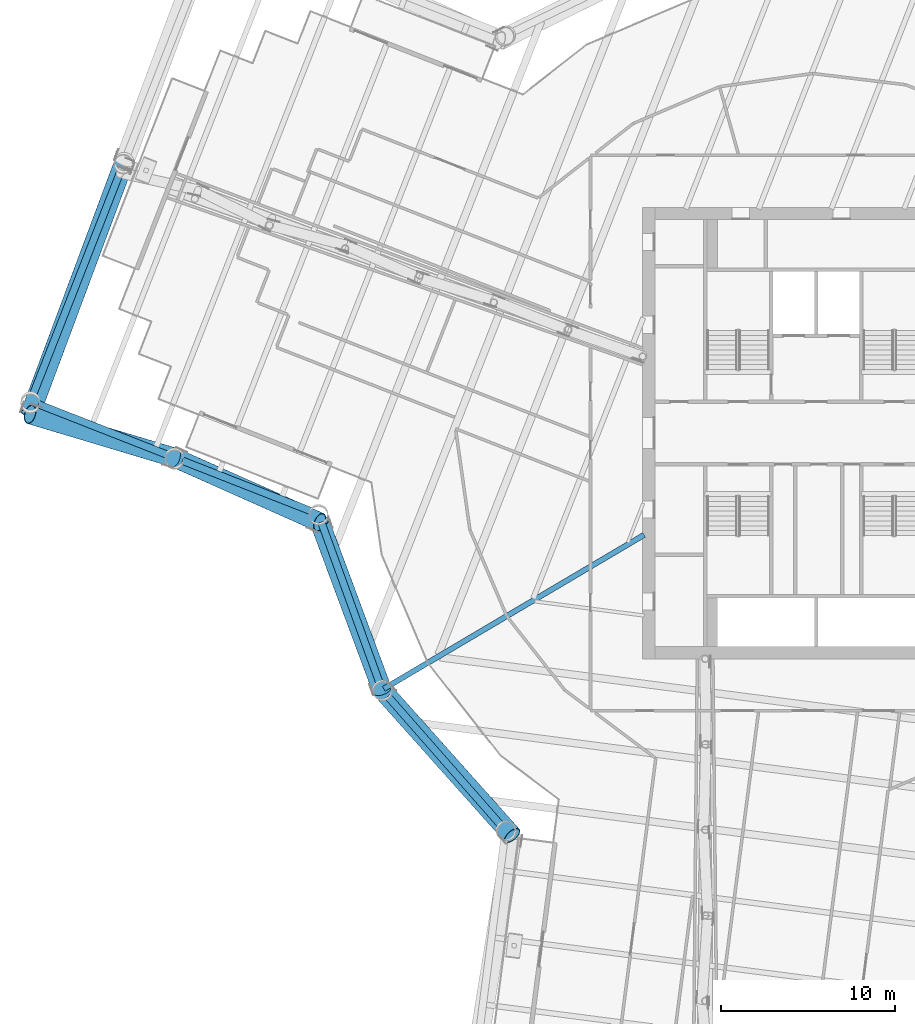
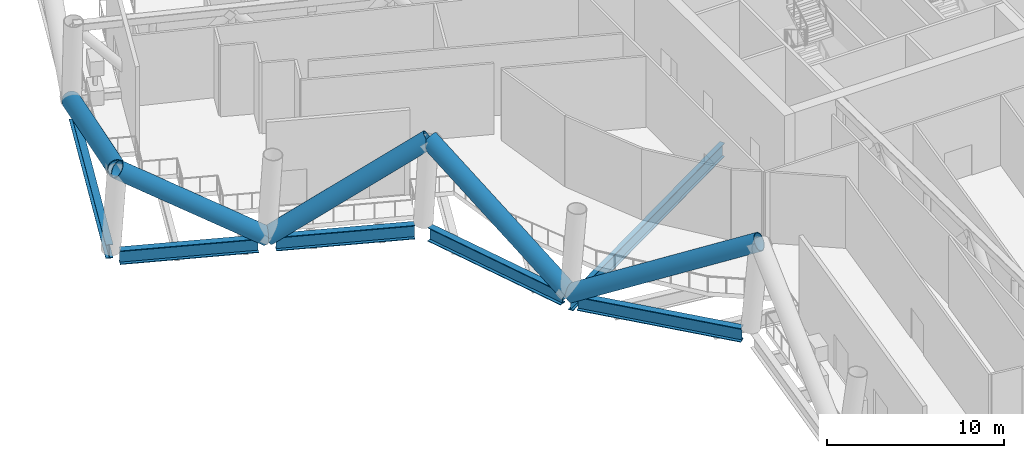
# One storey, part 3 of 36: 6 beams, 5 members.
"""IFC4 building model written with IfcOpenShell, lengths in metres."""

from ifc_helpers import new_model, si_unit, direction, frame, origin, origin_2d, place, context, subcontext, project, spatial, hollow_circle, i_section, extrude, material, material_profile, profile_set, type_object, element, save


model = new_model("IFC4")

# Units and contexts
model_context = context("Model", 3, precision=1e-05, world=origin(), true_north=direction((0.0, 1.0)))
body_context = subcontext(model_context, "Body", "Model", "MODEL_VIEW")
ifc_project = project(units=[si_unit("LENGTHUNIT", "METRE"), si_unit("AREAUNIT", "SQUARE_METRE"), si_unit("VOLUMEUNIT", "CUBIC_METRE"), si_unit("PLANEANGLEUNIT", "RADIAN"), si_unit("MASSUNIT", "GRAM", prefix="KILO")], contexts=[model_context])

# Site, building, storey
site_placement = place(None, origin())
site = spatial("IfcSite", under=ifc_project, at=site_placement, CompositionType="ELEMENT")
building_placement = place(site_placement, origin())
building = spatial("IfcBuilding", under=site, at=building_placement, Name="Tarsis Ring Headquarters", CompositionType="ELEMENT")
storey_placement = place(building_placement, frame((0.0, 0.0, 194.39990234375)))
storey = spatial("IfcBuildingStorey", under=building, at=storey_placement, Name="L45", CompositionType="ELEMENT", Elevation=194.39990234375)

# Beam
ifc_material = material(Name="Structural steel S355", Category="steel")
ifc_material_profile_1 = material_profile(ifc_material, i_section(OverallWidth=0.309814453125, OverallDepth=0.949951171875, WebThickness=0.0244140625, FlangeThickness=0.0439453125, at=origin_2d()), Name="W36x256")
ifc_profile_set_1 = profile_set([ifc_material_profile_1], Name="Structural steel S355")
beam_type_1 = type_object("IfcBeamType", Name="FB Floor beam W36x256 spine", PredefinedType="BEAM", material=ifc_profile_set_1)
beam_1_placement = place(storey_placement, frame((-9.913818359375, -5.863037109375, -0.77490234375), z_axis=(-0.860740036706, -0.509044781146, 0.0), x_axis=(0.509044781146, -0.860740036706, 0.0)))
element("IfcBeam", 1, at=beam_1_placement, inside=storey, type_object=beam_type_1, Name="Floor beam SB11", PredefinedType="BEAM", context=body_context, shape_type="SweptSolid", body=[
    extrude(i_section(OverallWidth=0.309814453125, OverallDepth=0.949951171875, WebThickness=0.0244140625, FlangeThickness=0.0439453125, at=origin_2d()), origin(), (0.0, 0.0, 1.0), 17.4150390625),
])

# Members
ifc_material_profile_2 = material_profile(ifc_material, hollow_circle(Radius=0.558837890625, WallThickness=0.044921875, at=origin_2d()), Name="CHS 1118x45")
ifc_profile_set_2 = profile_set([ifc_material_profile_2], Name="Structural steel S355")
member_type = type_object("IfcMemberType", Name="TD Belt truss diagonal CHS 1118x45", PredefinedType="BRACE", material=ifc_profile_set_2)
member_1_placement = place(storey_placement, frame((-25.003173828125, -14.786865234375, 0.0), z_axis=(0.587701624419, -0.658131606322, 0.470605556082), x_axis=(0.745890296414, 0.666068814549, 0.0)))
element("IfcMember", 2, at=member_1_placement, inside=storey, type_object=member_type, Name="Belt truss diagonal TD4", PredefinedType="BRACE", context=body_context, shape_type="SweptSolid", body=[
    extrude(hollow_circle(Radius=0.558837890625, WallThickness=0.044921875, at=origin_2d()), origin(), (0.0, 0.0, 1.0), 12.74951171875),
])
member_2_placement = place(storey_placement, frame((-39.84912109375, 15.61669921875, 0.0), z_axis=(-0.326058702815, -0.873853172295, 0.360647134452), x_axis=(0.936904669537, -0.349584954196, 0.0)))
element("IfcMember", 3, at=member_2_placement, inside=storey, type_object=member_type, Name="Belt truss diagonal TD4", PredefinedType="BRACE", context=body_context, shape_type="SweptSolid", body=[
    extrude(hollow_circle(Radius=0.558837890625, WallThickness=0.044921875, at=origin_2d()), origin(), (0.0, 0.0, 1.0), 16.63671875),
])
member_3_placement = place(storey_placement, frame((-36.9609375, -1.4111328125, 0.0), z_axis=(-0.787944732905, 0.23599695692, 0.568725359214), x_axis=(-0.286916803193, -0.95795550421, 0.0)))
element("IfcMember", 4, at=member_3_placement, inside=storey, type_object=member_type, Name="Belt truss diagonal TD4", PredefinedType="BRACE", context=body_context, shape_type="SweptSolid", body=[
    extrude(hollow_circle(Radius=0.558837890625, WallThickness=0.044921875, at=origin_2d()), origin(), (0.0, 0.0, 1.0), 10.5498046875),
])
member_4_placement = place(storey_placement, frame((-36.9609375, -1.4111328125, 0.0), z_axis=(0.764238986126, -0.340370102028, 0.547801940239), x_axis=(0.406845357065, 0.913497047305, 0.0)))
element("IfcMember", 5, at=member_4_placement, inside=storey, type_object=member_type, Name="Belt truss diagonal TD4", PredefinedType="BRACE", context=body_context, shape_type="SweptSolid", body=[
    extrude(hollow_circle(Radius=0.558837890625, WallThickness=0.044921875, at=origin_2d()), origin(), (0.0, 0.0, 1.0), 10.952880859375),
])
member_5_placement = place(storey_placement, frame((-25.003173828125, -14.786865234375, 0.0), z_axis=(-0.301084971073, 0.809771646491, 0.503604726679), x_axis=(-0.937307099065, -0.34850452227, 0.0)))
element("IfcMember", 6, at=member_5_placement, inside=storey, type_object=member_type, Name="Belt truss diagonal TD4", PredefinedType="BRACE", context=body_context, shape_type="SweptSolid", body=[
    extrude(hollow_circle(Radius=0.558837890625, WallThickness=0.044921875, at=origin_2d()), origin(), (0.0, 0.0, 1.0), 11.9140625),
])

# Beams
ifc_material_profile_3 = material_profile(ifc_material, i_section(OverallWidth=0.42431640625, OverallDepth=0.947509765625, WebThickness=0.02392578125, FlangeThickness=0.042724609375, at=origin_2d()), Name="W36x302")
ifc_profile_set_3 = profile_set([ifc_material_profile_3], Name="Structural steel S355")
beam_type_2 = type_object("IfcBeamType", Name="XG Ring girder W36x302", PredefinedType="BEAM", material=ifc_profile_set_3)
beam_2_placement = place(storey_placement, frame((-24.67138671875, -15.164794921875, -0.4736328125), z_axis=(0.659809780632, -0.751432667231, 0.0), x_axis=(0.751432667231, 0.659809780632, 0.0)))
element("IfcBeam", 7, at=beam_2_placement, inside=storey, type_object=beam_type_2, Name="Ring girder XG1", PredefinedType="BEAM", context=body_context, shape_type="SweptSolid", body=[
    extrude(i_section(OverallWidth=0.42431640625, OverallDepth=0.947509765625, WebThickness=0.02392578125, FlangeThickness=0.042724609375, at=origin_2d()), origin(), (0.0, 0.0, 1.0), 9.765869140625),
])
beam_3_placement = place(storey_placement, frame((-40.03271484375, 15.1484375, -0.4736328125), z_axis=(-0.364881784961, -0.931053856124, 0.0), x_axis=(0.931053856124, -0.364881784961, 0.0)))
element("IfcBeam", 8, at=beam_3_placement, inside=storey, type_object=beam_type_2, Name="Ring girder XG1", PredefinedType="BEAM", context=body_context, shape_type="SweptSolid", body=[
    extrude(i_section(OverallWidth=0.42431640625, OverallDepth=0.947509765625, WebThickness=0.02392578125, FlangeThickness=0.042724609375, at=origin_2d()), origin(), (0.0, 0.0, 1.0), 13.7939453125),
])
beam_4_placement = place(storey_placement, frame((-44.781005859375, 1.653564453125, -0.4736328125), z_axis=(0.931057450818, -0.364872612397, 0.0), x_axis=(0.364872612397, 0.931057450818, 0.0)))
element("IfcBeam", 9, at=beam_4_placement, inside=storey, type_object=beam_type_2, Name="Ring girder XG1", PredefinedType="BEAM", context=body_context, shape_type="SweptSolid", body=[
    extrude(i_section(OverallWidth=0.42431640625, OverallDepth=0.947509765625, WebThickness=0.02392578125, FlangeThickness=0.042724609375, at=origin_2d()), origin(), (0.0, 0.0, 1.0), 7.896240234375),
])
beam_5_placement = place(storey_placement, frame((-36.49267578125, -1.5947265625, -0.4736328125), z_axis=(0.931061566921, -0.364862109027, 0.0), x_axis=(0.364862109027, 0.931061566921, 0.0)))
element("IfcBeam", 10, at=beam_5_placement, inside=storey, type_object=beam_type_2, Name="Ring girder XG1", PredefinedType="BEAM", context=body_context, shape_type="SweptSolid", body=[
    extrude(i_section(OverallWidth=0.42431640625, OverallDepth=0.947509765625, WebThickness=0.02392578125, FlangeThickness=0.042724609375, at=origin_2d()), origin(), (0.0, 0.0, 1.0), 7.896484375),
])
beam_6_placement = place(storey_placement, frame((-28.5009765625, -5.132080078125, -0.4736328125), z_axis=(0.340616750149, -0.94020222799, 0.0), x_axis=(0.94020222799, 0.340616750149, 0.0)))
element("IfcBeam", 11, at=beam_6_placement, inside=storey, type_object=beam_type_2, Name="Ring girder XG1", PredefinedType="BEAM", context=body_context, shape_type="SweptSolid", body=[
    extrude(i_section(OverallWidth=0.42431640625, OverallDepth=0.947509765625, WebThickness=0.02392578125, FlangeThickness=0.042724609375, at=origin_2d()), origin(), (0.0, 0.0, 1.0), 9.765869140625),
])

save(model, "model.ifc")
